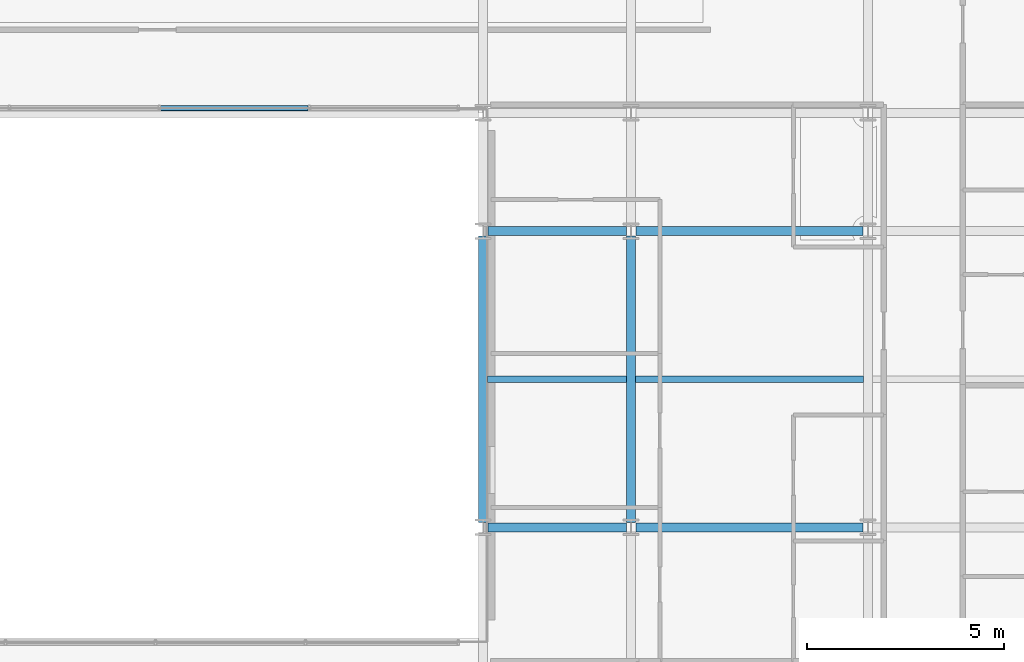
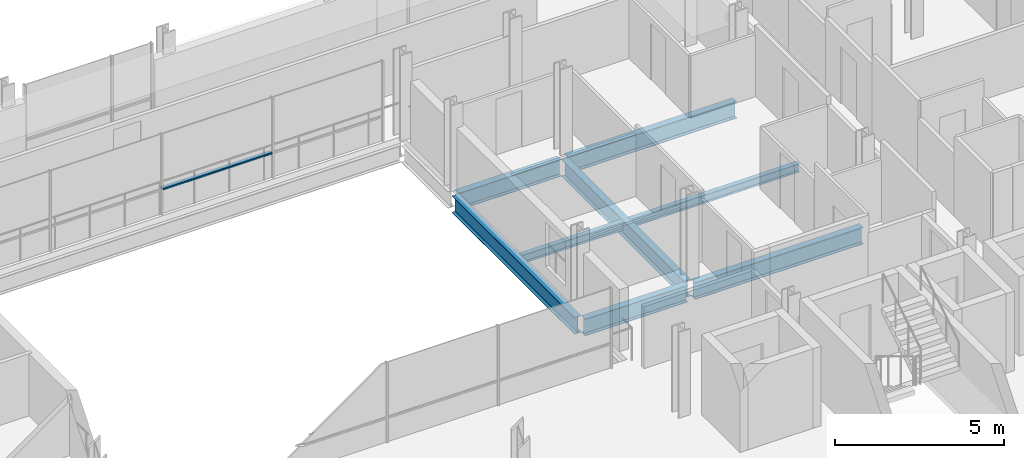
# One storey, part 16 of 39: 8 beams, 1 member, 1 element without a shape of its own.
"""IFC4 building model written with IfcOpenShell, lengths in metres."""

from ifc_helpers import new_model, si_unit, direction, frame, origin, origin_2d, place, context, subcontext, project, spatial, hollow_rectangle, i_section, extrude, material, layer, layer_set, material_profile, profile_set, type_object, element, aggregate, save


model = new_model("IFC4")

# Units and contexts
model_context = context("Model", 3, precision=1e-05, world=origin(), true_north=direction((0.0, 1.0)))
body_context = subcontext(model_context, "Body", "Model", "MODEL_VIEW")
ifc_project = project(units=[si_unit("LENGTHUNIT", "METRE"), si_unit("AREAUNIT", "SQUARE_METRE"), si_unit("VOLUMEUNIT", "CUBIC_METRE"), si_unit("PLANEANGLEUNIT", "RADIAN"), si_unit("MASSUNIT", "GRAM", prefix="KILO")], contexts=[model_context])

# Site, building, storey
site_placement = place(None, origin())
site = spatial("IfcSite", under=ifc_project, at=site_placement, CompositionType="ELEMENT")
building_placement = place(site_placement, origin())
building = spatial("IfcBuilding", under=site, at=building_placement, Name="Brevholm Reach", CompositionType="ELEMENT")
storey_placement = place(building_placement, frame((0.0, 0.0, 109.699951171875)))
storey = spatial("IfcBuildingStorey", under=building, at=storey_placement, Name="L32", CompositionType="ELEMENT", Elevation=109.699951171875)

# Beams
ifc_material_1 = material(Name="Structural Steel S355J2", Category="steel")
ifc_material_profile_1 = material_profile(ifc_material_1, i_section(OverallWidth=0.1650390625, OverallDepth=0.303466796875, WebThickness=0.006103515625, FlangeThickness=0.01025390625, FilletRadius=0.0087890625, at=origin_2d()), Name="UKB 305x165x40")
ifc_profile_set_1 = profile_set([ifc_material_profile_1], Name="Structural Steel S355J2")
beam_type_1 = type_object("IfcBeamType", Name="BM-B305", PredefinedType="BEAM", material=ifc_profile_set_1)
beam_1_placement = place(storey_placement, frame((38.364501953125, 19.75, -0.37158203125), z_axis=(1.0, 0.0, 0.0), x_axis=(0.0, 1.0, 0.0)))
element("IfcBeam", 1, at=beam_1_placement, inside=storey, type_object=beam_type_1, Name="L32 Composite Secondary Floor Beam", PredefinedType="BEAM", context=body_context, shape_type="SweptSolid", body=[
    extrude(i_section(OverallWidth=0.1650390625, OverallDepth=0.303466796875, WebThickness=0.006103515625, FlangeThickness=0.01025390625, FilletRadius=0.0087890625, at=origin_2d()), origin(), (0.0, 0.0, 1.0), 3.52099609375),
])
beam_2_placement = place(storey_placement, frame((42.114501953125, 19.75, -0.37158203125), z_axis=(1.0, 0.0, 0.0), x_axis=(0.0, 1.0, 0.0)))
element("IfcBeam", 2, at=beam_2_placement, inside=storey, type_object=beam_type_1, Name="L32 Composite Secondary Floor Beam", PredefinedType="BEAM", context=body_context, shape_type="SweptSolid", body=[
    extrude(i_section(OverallWidth=0.1650390625, OverallDepth=0.303466796875, WebThickness=0.006103515625, FlangeThickness=0.01025390625, FilletRadius=0.0087890625, at=origin_2d()), origin(), (0.0, 0.0, 1.0), 5.77099609375),
])
ifc_material_2 = material(Name="Structural Steel S355J2", Category="steel")
ifc_material_profile_2 = material_profile(ifc_material_2, i_section(OverallWidth=0.22900390625, OverallDepth=0.6123046875, WebThickness=0.011962890625, FlangeThickness=0.01953125, FilletRadius=0.0126953125, at=origin_2d()), Name="UKB 610x229x125")
ifc_profile_set_2 = profile_set([ifc_material_profile_2], Name="Structural Steel S355J2")
beam_type_2 = type_object("IfcBeamType", Name="BM-SP610", PredefinedType="SPANDREL", material=ifc_profile_set_2)
beam_3_placement = place(storey_placement, frame((38.3701171875, 16.0, -0.526123046875), z_axis=(1.0, 0.0, 0.0), x_axis=(0.0, 1.0, 0.0)))
element("IfcBeam", 3, at=beam_3_placement, inside=storey, type_object=beam_type_2, Name="L32 SP-01 Framing Beam", PredefinedType="SPANDREL", context=body_context, shape_type="SweptSolid", body=[
    extrude(i_section(OverallWidth=0.22900390625, OverallDepth=0.6123046875, WebThickness=0.011962890625, FlangeThickness=0.01953125, FilletRadius=0.0126953125, at=origin_2d()), origin(), (0.0, 0.0, 1.0), 3.509765625),
])
beam_4_placement = place(storey_placement, frame((42.1201171875, 16.0, -0.526123046875), z_axis=(1.0, 0.0, 0.0), x_axis=(0.0, 1.0, 0.0)))
element("IfcBeam", 4, at=beam_4_placement, inside=storey, type_object=beam_type_2, Name="L32 SP-01 Framing Beam", PredefinedType="SPANDREL", context=body_context, shape_type="SweptSolid", body=[
    extrude(i_section(OverallWidth=0.22900390625, OverallDepth=0.6123046875, WebThickness=0.011962890625, FlangeThickness=0.01953125, FilletRadius=0.0126953125, at=origin_2d()), origin(), (0.0, 0.0, 1.0), 5.759765625),
])
beam_5_placement = place(storey_placement, frame((38.3701171875, 23.5, -0.526123046875), z_axis=(1.0, 0.0, 0.0), x_axis=(0.0, 1.0, 0.0)))
element("IfcBeam", 5, at=beam_5_placement, inside=storey, type_object=beam_type_2, Name="L32 SP-01 Framing Beam", PredefinedType="SPANDREL", context=body_context, shape_type="SweptSolid", body=[
    extrude(i_section(OverallWidth=0.22900390625, OverallDepth=0.6123046875, WebThickness=0.011962890625, FlangeThickness=0.01953125, FilletRadius=0.0126953125, at=origin_2d()), origin(), (0.0, 0.0, 1.0), 3.509765625),
])
beam_6_placement = place(storey_placement, frame((42.1201171875, 23.5, -0.526123046875), z_axis=(1.0, 0.0, 0.0), x_axis=(0.0, 1.0, 0.0)))
element("IfcBeam", 6, at=beam_6_placement, inside=storey, type_object=beam_type_2, Name="L32 SP-01 Framing Beam", PredefinedType="SPANDREL", context=body_context, shape_type="SweptSolid", body=[
    extrude(i_section(OverallWidth=0.22900390625, OverallDepth=0.6123046875, WebThickness=0.011962890625, FlangeThickness=0.01953125, FilletRadius=0.0126953125, at=origin_2d()), origin(), (0.0, 0.0, 1.0), 5.759765625),
])
for number, where, z_axis, x_axis, name in (
    (7, (38.25, 16.1201171875, -0.526123046875), (0.0, 1.0, 0.0), (-1.0, 0.0, 0.0), "L32 SP-01 Framing Beam"),
    (8, (42.0, 16.1201171875, -0.526123046875), (0.0, 1.0, 0.0), (-1.0, 0.0, 0.0), "L32 SP-01 Framing Beam"),
):
    element("IfcBeam", number, at=place(storey_placement, frame(where, z_axis=z_axis, x_axis=x_axis)), inside=storey, type_object=beam_type_2, Name=name, PredefinedType="SPANDREL", context=body_context, shape_type="SweptSolid", body=[
        extrude(i_section(OverallWidth=0.22900390625, OverallDepth=0.6123046875, WebThickness=0.011962890625, FlangeThickness=0.01953125, FilletRadius=0.0126953125, at=origin_2d()), origin(), (0.0, 0.0, 1.0), 7.259765625),
    ])

# Curtain wall, member
ifc_material_3 = material(Name="Dark Anodised Aluminium 6063-T6 and Solar-Control Glass", Category="aluminium")
ifc_layer = layer(ifc_material_3, 0.139892578125)
ifc_layer_set = layer_set([ifc_layer], Name="Dark Anodised Aluminium 6063-T6 and Solar-Control Glass")
curtain_wall_type = type_object("IfcCurtainWallType", Name="CW-02", PredefinedType="NOTDEFINED", material=ifc_layer_set)
curtain_wall_placement = place(storey_placement, origin())
curtain_wall = element("IfcCurtainWall", 9, at=curtain_wall_placement, inside=storey, type_object=curtain_wall_type, Name="L32 Curtain Wall CW-02", PredefinedType="NOTDEFINED")
ifc_material_4 = material(Name="Dark Anodised Aluminium 6063-T6", Category="aluminium")
ifc_material_profile_3 = material_profile(ifc_material_4, hollow_rectangle(XDim=0.06005859375, YDim=0.139892578125, WallThickness=0.0048828125, InnerFilletRadius=0.0048828125, OuterFilletRadius=0.010009765625, at=origin_2d()), Name="RHS 140x60x5")
ifc_profile_set_3 = profile_set([ifc_material_profile_3], Name="Dark Anodised Aluminium 6063-T6")
member_type = type_object("IfcMemberType", Name="CWT-140", PredefinedType="NOTDEFINED", material=ifc_profile_set_3)
member_placement = place(storey_placement, frame((33.820068359375, 26.6201171875, 0.900146484375), z_axis=(-1.0, 0.0, 0.0), x_axis=(0.0, 0.0, 1.0)))
member = element("IfcMember", 10, at=member_placement, type_object=member_type, Name="CT-140 Transom 2.1", ObjectType="TRANSOM", PredefinedType="USERDEFINED", context=body_context, shape_type="SweptSolid", body=[
    extrude(hollow_rectangle(XDim=0.06005859375, YDim=0.139892578125, WallThickness=0.0048828125, InnerFilletRadius=0.0048828125, OuterFilletRadius=0.010009765625, at=origin_2d()), origin(), (0.0, 0.0, 1.0), 3.739990234375),
])
aggregate(curtain_wall, [member])

save(model, "model.ifc")
